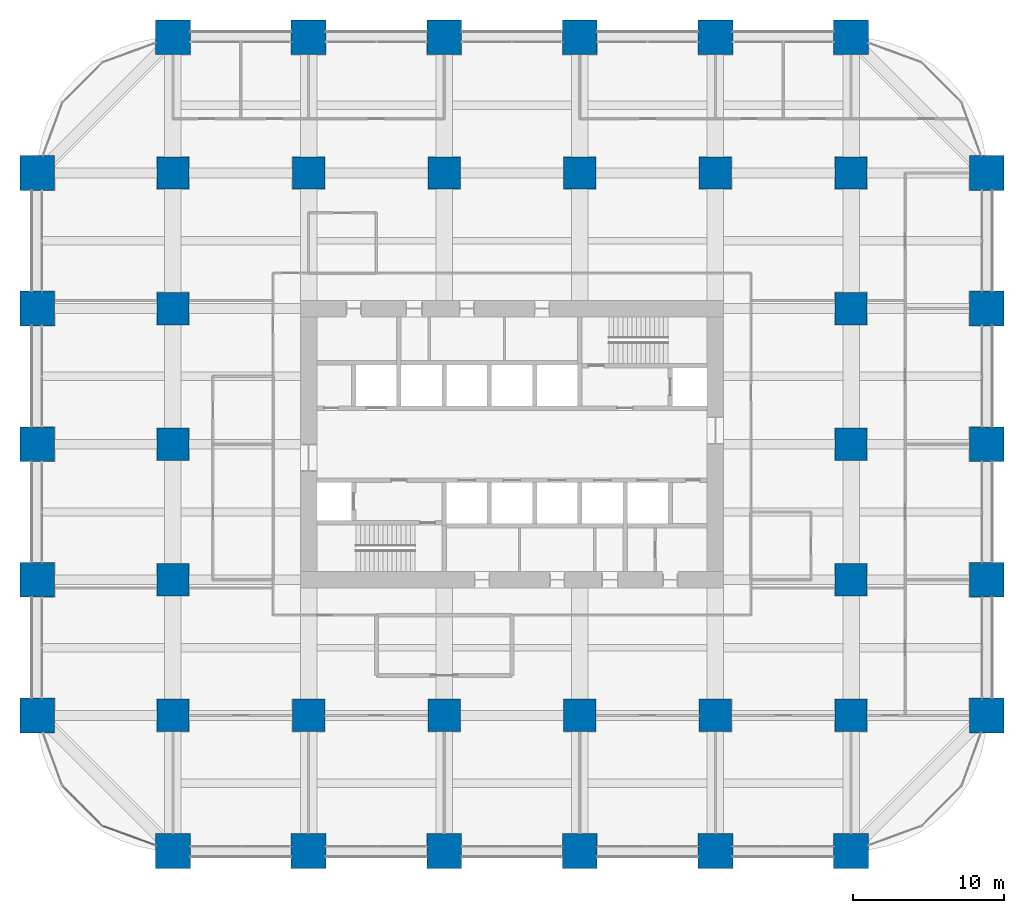
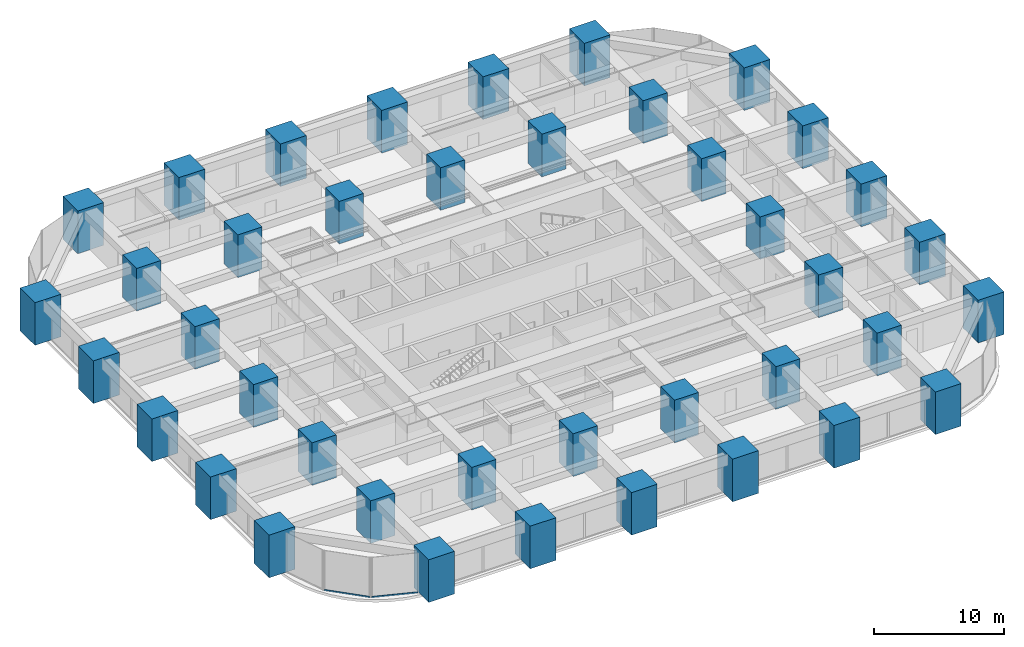
# One storey, part 1 of 44: 40 columns, 2 members, 2 elements without a shape of their own.
"""IFC4 building model written with IfcOpenShell, lengths in metres."""

import ifcopenshell
import ifcopenshell.guid

model = None  # the IFC model being written
_history = None  # IfcOwnerHistory: only IFC2X3 demands one
_inside = {}  # id of a spatial element -> (the spatial element, [elements in it])
_under = {}  # id of a project, library or spatial element -> (it, [spatial elements below it])
_declared = {}  # id of a project -> (the project, [libraries it declares])
_typed = {}  # id of a type object -> (the type object, [elements of that type])
_made_of = {}  # id of a material, layer set ... -> (it, [elements and type objects made of it])


def new_model(schema):
    """Start an empty IFC model of exactly this schema.

    Asked for "IFC4X3", IfcOpenShell would pick the latest addendum, in which some entities
    have other attributes; the version numbers below select the first issue.
    IFC2X3 requires an IfcOwnerHistory on every rooted entity: one is made here for all.
    """
    global model, _history
    if schema == "IFC4X3":
        model = ifcopenshell.file(schema_version=(4, 3, 0, 0))
    else:
        model = ifcopenshell.file(schema=schema)
    _inside.clear()
    _under.clear()
    _declared.clear()
    _typed.clear()
    _made_of.clear()
    _history = None
    if model.schema == "IFC2X3":
        org = make("IfcOrganization", Name="unknown")
        user = make(
            "IfcPersonAndOrganization",
            ThePerson=make("IfcPerson", FamilyName="unknown"),
            TheOrganization=org,
        )
        app = make(
            "IfcApplication",
            ApplicationDeveloper=org,
            Version="unknown",
            ApplicationFullName="unknown",
            ApplicationIdentifier="unknown",
        )
        _history = make(
            "IfcOwnerHistory",
            OwningUser=user,
            OwningApplication=app,
            ChangeAction="ADDED",
            CreationDate=0,
        )
    return model


def make(cls, **values):
    """One entity of the class cls with the attributes given. An attribute that is None is left unset."""
    return model.create_entity(
        cls, **{name: value for name, value in values.items() if value is not None}
    )


def rooted(cls, **values):
    """An entity with a GlobalId (a new one), such as an element, a storey or a relation."""
    return make(cls, GlobalId=ifcopenshell.guid.new(), OwnerHistory=_history, **values)


def si_unit(unit_type, name, prefix=None):
    """IfcSIUnit, for example si_unit("LENGTHUNIT", "METRE", prefix="MILLI")."""
    return make("IfcSIUnit", UnitType=unit_type, Prefix=prefix, Name=name)


def assignment(units):
    """IfcUnitAssignment: the units of a project."""
    return None if units is None else make("IfcUnitAssignment", Units=units)


def point(xyz):
    """IfcCartesianPoint."""
    return None if xyz is None else make("IfcCartesianPoint", Coordinates=xyz)


def direction(xyz):
    """IfcDirection."""
    return None if xyz is None else make("IfcDirection", DirectionRatios=xyz)


def frame(location, z_axis=None, x_axis=None):
    """IfcAxis2Placement3D, a coordinate frame: its origin and axes. An axis left out is left unset."""
    return make(
        "IfcAxis2Placement3D",
        Location=point(location),
        Axis=direction(z_axis),
        RefDirection=direction(x_axis),
    )


def frame_2d(location, x_axis=None):
    """IfcAxis2Placement2D, a coordinate frame in the plane: its origin and x axis."""
    return make(
        "IfcAxis2Placement2D", Location=point(location), RefDirection=direction(x_axis)
    )


def origin():
    """The frame at (0, 0, 0) with its axes left unset."""
    return frame((0.0, 0.0, 0.0))


def origin_2d():
    """The frame at (0, 0) in the plane with its x axis left unset."""
    return frame_2d((0.0, 0.0))


def place(relative_to, where):
    """IfcLocalPlacement: puts the frame where relative to a parent placement (None: the world)."""
    return make(
        "IfcLocalPlacement", PlacementRelTo=relative_to, RelativePlacement=where
    )


def context(
    kind, dimensions, precision=None, world=None, true_north=None, identifier=None
):
    """IfcGeometricRepresentationContext, for example the 3D "Model" context."""
    return make(
        "IfcGeometricRepresentationContext",
        ContextIdentifier=identifier,
        ContextType=kind,
        CoordinateSpaceDimension=dimensions,
        Precision=precision,
        WorldCoordinateSystem=world,
        TrueNorth=true_north,
    )


def subcontext(parent, identifier, kind, view, scale=None):
    """IfcGeometricRepresentationSubContext, for example "Body" below "Model"."""
    return make(
        "IfcGeometricRepresentationSubContext",
        ContextIdentifier=identifier,
        ContextType=kind,
        ParentContext=parent,
        TargetScale=scale,
        TargetView=view,
    )


def project(units=None, contexts=None):
    """IfcProject with its units and contexts."""
    return rooted(
        "IfcProject",
        Name="project",
        RepresentationContexts=contexts,
        UnitsInContext=assignment(units),
    )


def spatial(cls, under=None, at=None, **own):
    """A site, building, storey or space (cls), placed at a placement, below another one or the project."""
    s = rooted(cls, ObjectPlacement=at, **own)
    if under is not None:
        _under.setdefault(under.id(), (under, []))[1].append(s)
    return s


def profile(cls, at=None, kind="AREA", **sizes):
    """A parametric profile (cls). Its sizes go by their IFC names, for example OverallWidth=200.0."""
    return make(cls, ProfileType=kind, Position=at, **sizes)


def rectangle(**sizes):
    """IfcRectangleProfileDef."""
    return profile("IfcRectangleProfileDef", **sizes)


def hollow_rectangle(**sizes):
    """IfcRectangleHollowProfileDef."""
    return profile("IfcRectangleHollowProfileDef", **sizes)


def extrude(swept, where, along, depth):
    """IfcExtrudedAreaSolid: the profile swept, set in the frame where, extruded along a direction by depth."""
    return make(
        "IfcExtrudedAreaSolid",
        SweptArea=swept,
        Position=where,
        ExtrudedDirection=direction(along),
        Depth=depth,
    )


def shape(context_of_items, identifier, shape_type, items):
    """IfcShapeRepresentation: the items that make up one representation, for example the "Body"."""
    return make(
        "IfcShapeRepresentation",
        ContextOfItems=context_of_items,
        RepresentationIdentifier=identifier,
        RepresentationType=shape_type,
        Items=items,
    )


def material(Name=None, Category=None):
    """IfcMaterial."""
    return make("IfcMaterial", Name=Name, Category=Category)


def material_profile(
    of_material, cross_section, Name=None, Category=None, Priority=None
):
    """IfcMaterialProfile: a cross section and its material."""
    return make(
        "IfcMaterialProfile",
        Name=Name,
        Material=of_material,
        Profile=cross_section,
        Priority=Priority,
        Category=Category,
    )


def profile_set(profiles, Name=None, composite=None):
    """IfcMaterialProfileSet."""
    return make(
        "IfcMaterialProfileSet",
        Name=Name,
        MaterialProfiles=profiles,
        CompositeProfile=composite,
    )


def made_of(thing, what):
    """Note that an element or type object is made of a material, layer set ...; save() writes the relation."""
    if what is not None:
        _made_of.setdefault(what.id(), (what, []))[1].append(thing)
    return thing


def type_object(cls, material=None, **own):
    """A type object (cls), such as IfcWallType, which elements share."""
    return made_of(rooted(cls, **own), material)


def element(
    cls,
    number,
    at=None,
    inside=None,
    cuts=None,
    type_object=None,
    material=None,
    context=None,
    identifier="Body",
    shape_type=None,
    held_by="IfcProductDefinitionShape",
    body=None,
    shapes=None,
    **own,
):
    """One element of the class cls, such as IfcWall. Its Tag is "e" and its number.

    at: its placement. inside: the storey or other place that contains it. cuts: it is an
    opening in that element (IfcRelVoidsElement). A single representation is given by context,
    identifier, shape_type and body (its items); several are given by shapes. held_by: the class
    of the entity that holds the representations. save() writes the other relations.
    """
    e = rooted(cls, Tag="e%d" % number, ObjectPlacement=at, **own)
    if body is not None:
        shapes = [shape(context, identifier, shape_type, body)]
    if shapes is not None:
        e.Representation = make(held_by, Representations=shapes)
    if inside is not None:
        _inside.setdefault(inside.id(), (inside, []))[1].append(e)
    if cuts is not None:
        rooted(
            "IfcRelVoidsElement", RelatingBuildingElement=cuts, RelatedOpeningElement=e
        )
    if type_object is not None:
        _typed.setdefault(type_object.id(), (type_object, []))[1].append(e)
    return made_of(e, material)


def aggregate(whole, parts):
    """IfcRelAggregates: a whole, such as a stair, and the parts it consists of."""
    return rooted("IfcRelAggregates", RelatingObject=whole, RelatedObjects=parts)


def save(model, path):
    """Write the relations noted so far, then the file.

    IfcRelAggregates (storeys below a building ...), IfcRelContainedInSpatialStructure (elements
    in a storey), IfcRelDefinesByType, IfcRelAssociatesMaterial and IfcRelDeclares: one each for
    every whole, place, type object, material and project.
    """
    for whole, parts in _under.values():
        aggregate(whole, parts)
    for where, things in _inside.values():
        rooted(
            "IfcRelContainedInSpatialStructure",
            RelatedElements=things,
            RelatingStructure=where,
        )
    for kind, things in _typed.values():
        rooted("IfcRelDefinesByType", RelatedObjects=things, RelatingType=kind)
    for what, things in _made_of.values():
        rooted("IfcRelAssociatesMaterial", RelatedObjects=things, RelatingMaterial=what)
    for by, libraries in _declared.values():
        rooted("IfcRelDeclares", RelatingContext=by, RelatedDefinitions=libraries)
    model.write(path)


model = new_model("IFC4")

# Units and contexts
model_context = context("Model", 3, precision=1e-05, world=origin(), true_north=direction((0.0, 1.0)))
body_context = subcontext(model_context, "Body", "Model", "MODEL_VIEW")
ifc_project = project(units=[si_unit("LENGTHUNIT", "METRE"), si_unit("AREAUNIT", "SQUARE_METRE"), si_unit("VOLUMEUNIT", "CUBIC_METRE"), si_unit("PLANEANGLEUNIT", "RADIAN"), si_unit("MASSUNIT", "GRAM", prefix="KILO")], contexts=[model_context])

# Site, building, storey
site_placement = place(None, origin())
site = spatial("IfcSite", under=ifc_project, at=site_placement, CompositionType="ELEMENT")
building_placement = place(site_placement, origin())
building = spatial("IfcBuilding", under=site, at=building_placement, Name="Zorevar Civic Tower", CompositionType="ELEMENT")
storey_placement = place(building_placement, frame((0.0, 0.0, 55.800048828125)))
storey = spatial("IfcBuildingStorey", under=building, at=storey_placement, Name="L13", CompositionType="ELEMENT", Elevation=55.800048828125)

# Columns
ifc_material_1 = material(Name="Concrete C50/60", Category="concrete")
ifc_material_profile_1 = material_profile(ifc_material_1, rectangle(XDim=2.14990234375, YDim=2.14990234375, at=origin_2d()), Name="RC 2150x2150")
ifc_profile_set_1 = profile_set([ifc_material_profile_1], Name="Concrete C50/60")
column_type_1 = type_object("IfcColumnType", Name="Column RC 2150x2150", PredefinedType="COLUMN", material=ifc_profile_set_1)
for number, where, z_axis, x_axis, name in (
    (1, (9.0, 9.0, 0.0), (0.0, 0.0, 1.0), (1.0, 0.0, 0.0), "Column 3B L13"),
    (2, (9.0, 18.0, 0.0), (0.0, 0.0, 1.0), (1.0, 0.0, 0.0), "Column 3C L13"),
    (3, (9.0, 27.0, 0.0), (0.0, 0.0, 1.0), (1.0, 0.0, 0.0), "Column 3D L13"),
    (4, (9.0, 36.0, 0.0), (0.0, 0.0, 1.0), (1.0, 0.0, 0.0), "Column 3E L13"),
    (5, (9.0, 45.0, 0.0), (0.0, 0.0, 1.0), (1.0, 0.0, 0.0), "Column 3F L13"),
    (6, (18.0, 9.0, 0.0), (0.0, 0.0, 1.0), (1.0, 0.0, 0.0), "Column 4B L13"),
    (7, (18.0, 45.0, 0.0), (0.0, 0.0, 1.0), (1.0, 0.0, 0.0), "Column 4F L13"),
    (8, (27.0, 9.0, 0.0), (0.0, 0.0, 1.0), (1.0, 0.0, 0.0), "Column 5B L13"),
    (9, (27.0, 45.0, 0.0), (0.0, 0.0, 1.0), (1.0, 0.0, 0.0), "Column 5F L13"),
    (10, (36.0, 9.0, 0.0), (0.0, 0.0, 1.0), (1.0, 0.0, 0.0), "Column 6B L13"),
    (11, (36.0, 45.0, 0.0), (0.0, 0.0, 1.0), (1.0, 0.0, 0.0), "Column 6F L13"),
    (12, (45.0, 9.0, 0.0), (0.0, 0.0, 1.0), (1.0, 0.0, 0.0), "Column 7B L13"),
    (13, (45.0, 45.0, 0.0), (0.0, 0.0, 1.0), (1.0, 0.0, 0.0), "Column 7F L13"),
    (14, (54.0, 9.0, 0.0), (0.0, 0.0, 1.0), (1.0, 0.0, 0.0), "Column 8B L13"),
    (15, (54.0, 18.0, 0.0), (0.0, 0.0, 1.0), (1.0, 0.0, 0.0), "Column 8C L13"),
    (16, (54.0, 27.0, 0.0), (0.0, 0.0, 1.0), (1.0, 0.0, 0.0), "Column 8D L13"),
    (17, (54.0, 36.0, 0.0), (0.0, 0.0, 1.0), (1.0, 0.0, 0.0), "Column 8E L13"),
    (18, (54.0, 45.0, 0.0), (0.0, 0.0, 1.0), (1.0, 0.0, 0.0), "Column 8F L13"),
):
    element("IfcColumn", number, at=place(storey_placement, frame(where, z_axis=z_axis, x_axis=x_axis)), inside=storey, type_object=column_type_1, Name=name, PredefinedType="COLUMN", context=body_context, shape_type="SweptSolid", body=[
        extrude(rectangle(XDim=2.14990234375, YDim=2.14990234375, at=origin_2d()), origin(), (0.0, 0.0, 1.0), 4.0),
    ])
ifc_material_2 = material(Name="Concrete C50/60", Category="concrete")
ifc_material_profile_2 = material_profile(ifc_material_2, rectangle(XDim=2.300048828125, YDim=2.300048828125, at=origin_2d()), Name="RC 2300x2300")
ifc_profile_set_2 = profile_set([ifc_material_profile_2], Name="Concrete C50/60")
column_type_2 = type_object("IfcColumnType", Name="Column RC 2300x2300", PredefinedType="COLUMN", material=ifc_profile_set_2)
for number, where, z_axis, x_axis, name in (
    (19, (0.0, 9.0, 0.0), (0.0, 0.0, 1.0), (1.0, 0.0, 0.0), "Column 2B L13"),
    (20, (0.0, 18.0, 0.0), (0.0, 0.0, 1.0), (1.0, 0.0, 0.0), "Column 2C L13"),
    (21, (0.0, 27.0, 0.0), (0.0, 0.0, 1.0), (1.0, 0.0, 0.0), "Column 2D L13"),
    (22, (0.0, 36.0, 0.0), (0.0, 0.0, 1.0), (1.0, 0.0, 0.0), "Column 2E L13"),
    (23, (0.0, 45.0, 0.0), (0.0, 0.0, 1.0), (1.0, 0.0, 0.0), "Column 2F L13"),
    (24, (9.0, 0.0, 0.0), (0.0, 0.0, 1.0), (1.0, 0.0, 0.0), "Column 3A L13"),
    (25, (9.0, 54.0, 0.0), (0.0, 0.0, 1.0), (1.0, 0.0, 0.0), "Column 3G L13"),
    (26, (18.0, 0.0, 0.0), (0.0, 0.0, 1.0), (1.0, 0.0, 0.0), "Column 4A L13"),
    (27, (18.0, 54.0, 0.0), (0.0, 0.0, 1.0), (1.0, 0.0, 0.0), "Column 4G L13"),
    (28, (27.0, 0.0, 0.0), (0.0, 0.0, 1.0), (1.0, 0.0, 0.0), "Column 5A L13"),
    (29, (27.0, 54.0, 0.0), (0.0, 0.0, 1.0), (1.0, 0.0, 0.0), "Column 5G L13"),
    (30, (36.0, 0.0, 0.0), (0.0, 0.0, 1.0), (1.0, 0.0, 0.0), "Column 6A L13"),
    (31, (36.0, 54.0, 0.0), (0.0, 0.0, 1.0), (1.0, 0.0, 0.0), "Column 6G L13"),
    (32, (45.0, 0.0, 0.0), (0.0, 0.0, 1.0), (1.0, 0.0, 0.0), "Column 7A L13"),
    (33, (45.0, 54.0, 0.0), (0.0, 0.0, 1.0), (1.0, 0.0, 0.0), "Column 7G L13"),
    (34, (54.0, 0.0, 0.0), (0.0, 0.0, 1.0), (1.0, 0.0, 0.0), "Column 8A L13"),
    (35, (54.0, 54.0, 0.0), (0.0, 0.0, 1.0), (1.0, 0.0, 0.0), "Column 8G L13"),
    (36, (63.0, 9.0, 0.0), (0.0, 0.0, 1.0), (1.0, 0.0, 0.0), "Column 9B L13"),
    (37, (63.0, 18.0, 0.0), (0.0, 0.0, 1.0), (1.0, 0.0, 0.0), "Column 9C L13"),
    (38, (63.0, 27.0, 0.0), (0.0, 0.0, 1.0), (1.0, 0.0, 0.0), "Column 9D L13"),
    (39, (63.0, 36.0, 0.0), (0.0, 0.0, 1.0), (1.0, 0.0, 0.0), "Column 9E L13"),
    (40, (63.0, 45.0, 0.0), (0.0, 0.0, 1.0), (1.0, 0.0, 0.0), "Column 9F L13"),
):
    element("IfcColumn", number, at=place(storey_placement, frame(where, z_axis=z_axis, x_axis=x_axis)), inside=storey, type_object=column_type_2, Name=name, PredefinedType="COLUMN", context=body_context, shape_type="SweptSolid", body=[
        extrude(rectangle(XDim=2.300048828125, YDim=2.300048828125, at=origin_2d()), origin(), (0.0, 0.0, 1.0), 4.0),
    ])

# Curtain wall, member
ifc_material_3 = material(Name="Dark grey solar-control glass in black aluminium frame", Category="aluminium")
curtain_wall_type = type_object("IfcCurtainWallType", Name="Curtain wall CW2 low zone", PredefinedType="NOTDEFINED", material=ifc_material_3)
curtain_wall_1_placement = place(storey_placement, origin())
curtain_wall_1 = element("IfcCurtainWall", 41, at=curtain_wall_1_placement, inside=storey, type_object=curtain_wall_type, Name="CW2 L13", PredefinedType="NOTDEFINED")
ifc_material_4 = material(Name="Aluminium, black anodised", Category="aluminium")
ifc_material_profile_3 = material_profile(ifc_material_4, hollow_rectangle(XDim=0.06005859375, YDim=0.14990234375, WallThickness=0.00390625, at=origin_2d()), Name="AL 150x60x4")
ifc_profile_set_3 = profile_set([ifc_material_profile_3], Name="Aluminium, black anodised")
member_type = type_object("IfcMemberType", Name="CW2 transom AL 150x60x4", PredefinedType="USERDEFINED", material=ifc_profile_set_3)
member_1_placement = place(storey_placement, frame((1.70751953125, 4.279052734375, 0.030029296875), z_axis=(0.707106781187, -0.707106781187, 0.0), x_axis=(0.707106781187, 0.707106781187, 0.0)))
member_1 = element("IfcMember", 42, at=member_1_placement, type_object=member_type, Name="CW2 sill transom", ObjectType="TRANSOM", PredefinedType="USERDEFINED", context=body_context, shape_type="SweptSolid", body=[
    extrude(hollow_rectangle(XDim=0.06005859375, YDim=0.14990234375, WallThickness=0.00390625, at=origin_2d()), origin(), (0.0, 0.0, 1.0), 3.63671875),
])
aggregate(curtain_wall_1, [member_1])

curtain_wall_2_placement = place(storey_placement, origin())
curtain_wall_2 = element("IfcCurtainWall", 43, at=curtain_wall_2_placement, inside=storey, type_object=curtain_wall_type, Name="CW2 L13", PredefinedType="NOTDEFINED")
member_2_placement = place(storey_placement, frame((4.377685546875, 1.64453125, 0.030029296875), z_axis=(0.939318180432, -0.343047162808, 0.0), x_axis=(0.343047162808, 0.939318180432, 0.0)))
member_2 = element("IfcMember", 44, at=member_2_placement, type_object=member_type, Name="CW2 sill transom", ObjectType="TRANSOM", PredefinedType="USERDEFINED", context=body_context, shape_type="SweptSolid", body=[
    extrude(hollow_rectangle(XDim=0.06005859375, YDim=0.14990234375, WallThickness=0.00390625, at=origin_2d()), origin(), (0.0, 0.0, 1.0), 3.63671875),
])
aggregate(curtain_wall_2, [member_2])

save(model, "model.ifc")
